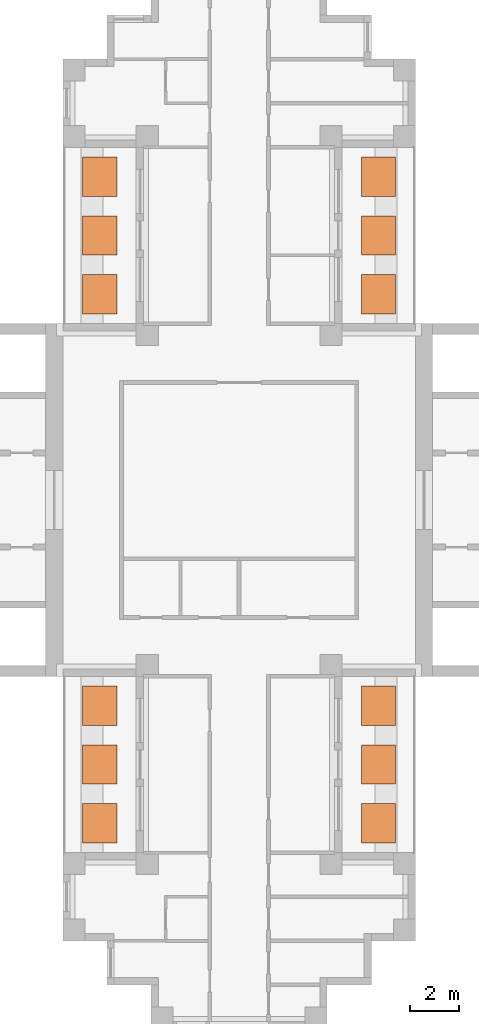
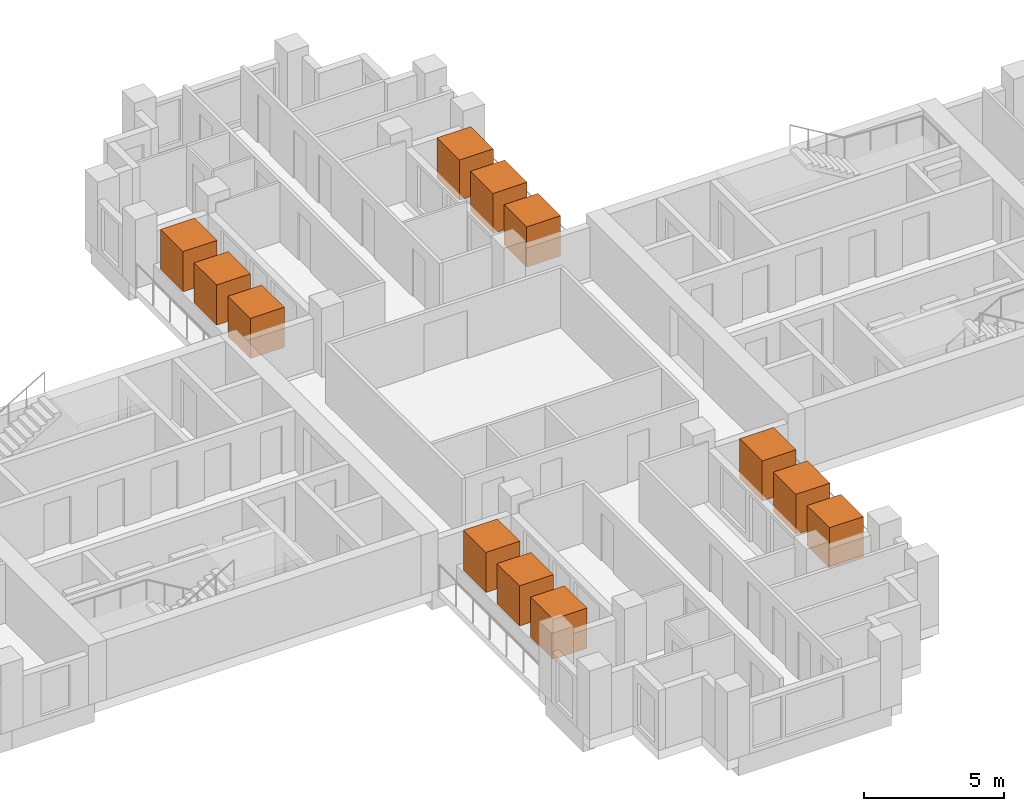
# One storey, part 11 of 11: 12 geographic elements.
"""IFC4 building model written with IfcOpenShell, lengths in metres."""

from ifc_helpers import new_model, si_unit, direction, frame, origin, origin_2d, place, context, subcontext, project, spatial, rectangle, extrude, material, element, save


model = new_model("IFC4")

# Units and contexts
model_context = context("Model", 3, precision=1e-05, world=origin(), true_north=direction((0.0, 1.0)))
body_context = subcontext(model_context, "Body", "Model", "MODEL_VIEW")
ifc_project = project(units=[si_unit("LENGTHUNIT", "METRE"), si_unit("AREAUNIT", "SQUARE_METRE"), si_unit("VOLUMEUNIT", "CUBIC_METRE"), si_unit("PLANEANGLEUNIT", "RADIAN"), si_unit("MASSUNIT", "GRAM", prefix="KILO")], contexts=[model_context])

# Site, building, storey
site_placement = place(None, origin())
site = spatial("IfcSite", under=ifc_project, at=site_placement, CompositionType="ELEMENT")
building_placement = place(site_placement, origin())
building = spatial("IfcBuilding", under=site, at=building_placement, Name="Fustian Cross Tower", CompositionType="ELEMENT")
storey_placement = place(building_placement, frame((0.0, 0.0, 120.300048828125)))
storey = spatial("IfcBuildingStorey", under=building, at=storey_placement, Name="L37", CompositionType="ELEMENT", Elevation=120.300048828125)

# Geographic elements
ifc_material = material(Name="Evergreen foliage")
for number, where, z_axis, x_axis, name in (
    (1, (5.68994140625, 8.39990234375, 0.800048828125), (0.0, 0.0, 1.0), (1.0, 0.0, 0.0), "TREE field maple"),
    (2, (5.68994140625, 10.800048828125, 0.800048828125), (0.0, 0.0, 1.0), (1.0, 0.0, 0.0), "TREE field maple"),
    (3, (5.68994140625, 13.199951171875, 0.800048828125), (0.0, 0.0, 1.0), (1.0, 0.0, 0.0), "TREE field maple"),
    (4, (-5.68994140625, 8.39990234375, 0.800048828125), (0.0, 0.0, 1.0), (1.0, 0.0, 0.0), "TREE field maple"),
    (5, (-5.68994140625, 10.800048828125, 0.800048828125), (0.0, 0.0, 1.0), (1.0, 0.0, 0.0), "TREE field maple"),
    (6, (-5.68994140625, 13.199951171875, 0.800048828125), (0.0, 0.0, 1.0), (1.0, 0.0, 0.0), "TREE field maple"),
    (7, (5.68994140625, -13.199951171875, 0.800048828125), (0.0, 0.0, 1.0), (1.0, 0.0, 0.0), "TREE field maple"),
    (8, (5.68994140625, -10.800048828125, 0.800048828125), (0.0, 0.0, 1.0), (1.0, 0.0, 0.0), "TREE field maple"),
    (9, (5.68994140625, -8.39990234375, 0.800048828125), (0.0, 0.0, 1.0), (1.0, 0.0, 0.0), "TREE field maple"),
    (10, (-5.68994140625, -13.199951171875, 0.800048828125), (0.0, 0.0, 1.0), (1.0, 0.0, 0.0), "TREE field maple"),
    (11, (-5.68994140625, -10.800048828125, 0.800048828125), (0.0, 0.0, 1.0), (1.0, 0.0, 0.0), "TREE field maple"),
    (12, (-5.68994140625, -8.39990234375, 0.800048828125), (0.0, 0.0, 1.0), (1.0, 0.0, 0.0), "TREE field maple"),
):
    element("IfcGeographicElement", number, at=place(storey_placement, frame(where, z_axis=z_axis, x_axis=x_axis)), inside=storey, material=ifc_material, Name=name, ObjectType="VEGETATION", PredefinedType="USERDEFINED", context=body_context, shape_type="SweptSolid", body=[
        extrude(rectangle(XDim=1.39990234375, YDim=1.60009765625, at=origin_2d()), origin(), (0.0, 0.0, 1.0), 1.75),
    ])

save(model, "model.ifc")
